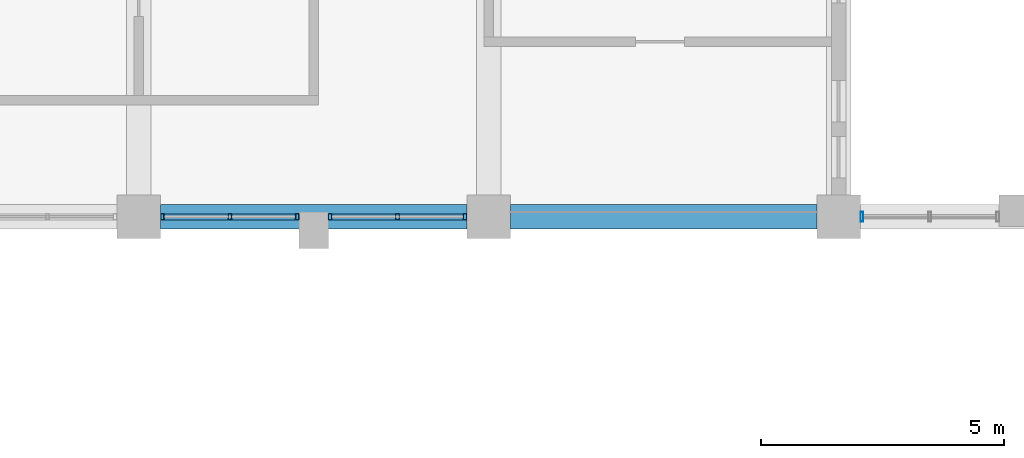
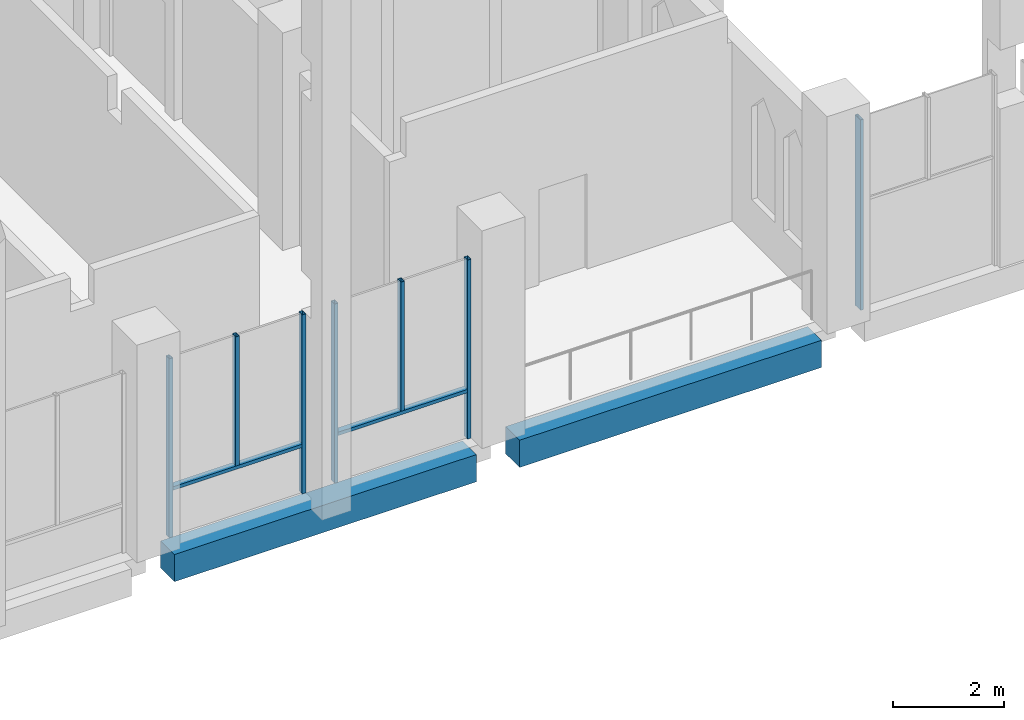
# One storey, part 10 of 40: 9 members, 2 beams, 3 elements without a shape of their own.
"""IFC4 building model written with IfcOpenShell, lengths in metres."""

from ifc_helpers import new_model, si_unit, direction, frame, origin, origin_2d, place, context, subcontext, project, spatial, rectangle, hollow_rectangle, extrude, material, material_profile, profile_set, type_object, element, aggregate, save


model = new_model("IFC4")

# Units and contexts
model_context = context("Model", 3, precision=1e-05, world=origin(), true_north=direction((0.0, 1.0)))
body_context = subcontext(model_context, "Body", "Model", "MODEL_VIEW")
ifc_project = project(units=[si_unit("LENGTHUNIT", "METRE"), si_unit("AREAUNIT", "SQUARE_METRE"), si_unit("VOLUMEUNIT", "CUBIC_METRE"), si_unit("PLANEANGLEUNIT", "RADIAN"), si_unit("MASSUNIT", "GRAM", prefix="KILO")], contexts=[model_context])

# Site, building, storey
site_placement = place(None, origin())
site = spatial("IfcSite", under=ifc_project, at=site_placement, CompositionType="ELEMENT")
building_placement = place(site_placement, origin())
building = spatial("IfcBuilding", under=site, at=building_placement, Name="Silangan Lancet Faculty of Sciences", CompositionType="ELEMENT")
storey_placement = place(building_placement, frame((0.0, 0.0, 21.60009765625)))
storey = spatial("IfcBuildingStorey", under=building, at=storey_placement, Name="L04", CompositionType="ELEMENT", Elevation=21.60009765625)

# Beams
ifc_material_1 = material(Name="Concrete C40/50", Category="concrete")
ifc_material_profile_1 = material_profile(ifc_material_1, rectangle(XDim=0.5, YDim=0.60009765625, at=origin_2d()), Name="RC 500x600")
ifc_profile_set_1 = profile_set([ifc_material_profile_1], Name="Concrete C40/50")
beam_type = type_object("IfcBeamType", Name="BEAM RC 500x600", PredefinedType="BEAM", material=ifc_profile_set_1)
beam_1_placement = place(storey_placement, frame((14.85009765625, 36.0, -0.550048828125), z_axis=(1.0, 0.0, 0.0), x_axis=(0.0, 1.0, 0.0)))
element("IfcBeam", 1, at=beam_1_placement, inside=storey, type_object=beam_type, Name="BM-L04-3F-4F", PredefinedType="BEAM", context=body_context, shape_type="SweptSolid", body=[
    extrude(rectangle(XDim=0.5, YDim=0.60009765625, at=origin_2d()), origin(), (0.0, 0.0, 1.0), 6.2998046875),
])
beam_2_placement = place(storey_placement, frame((22.050048828125, 36.0, -0.550048828125), z_axis=(1.0, 0.0, 0.0), x_axis=(0.0, 1.0, 0.0)))
element("IfcBeam", 2, at=beam_2_placement, inside=storey, type_object=beam_type, Name="BM-L04-4F-5F", PredefinedType="BEAM", context=body_context, shape_type="SweptSolid", body=[
    extrude(rectangle(XDim=0.5, YDim=0.60009765625, at=origin_2d()), origin(), (0.0, 0.0, 1.0), 6.300048828125),
])

# Curtain wall, member
ifc_material_2 = material(Name="Aluminium framed curtain wall with insulated glass", Category="aluminium")
curtain_wall_type_1 = type_object("IfcCurtainWallType", Name="CW5 Nave north light glazing", PredefinedType="NOTDEFINED", material=ifc_material_2)
curtain_wall_1_placement = place(storey_placement, origin())
curtain_wall_1 = element("IfcCurtainWall", 3, at=curtain_wall_1_placement, inside=storey, type_object=curtain_wall_type_1, Name="CW5 Nave north lights L04 bay 6", PredefinedType="NOTDEFINED")
ifc_material_3 = material(Name="Aluminium 6063-T6 extrusion", Category="aluminium")
ifc_material_profile_2 = material_profile(ifc_material_3, hollow_rectangle(XDim=0.06005859375, YDim=0.199951171875, WallThickness=0.00390625, at=origin_2d()), Name="AL BOX 60x200x4")
ifc_profile_set_2 = profile_set([ifc_material_profile_2], Name="Aluminium 6063-T6 extrusion")
member_type_1 = type_object("IfcMemberType", Name="CM1 Mullion 60x200", PredefinedType="MULLION", material=ifc_profile_set_2)
member_1_placement = place(storey_placement, frame((29.280029296875, 36.0, 0.0), z_axis=(0.0, 0.0, 1.0), x_axis=(-1.0, 0.0, 0.0)))
member_1 = element("IfcMember", 4, at=member_1_placement, type_object=member_type_1, Name="CW5 Nave north lights L04 bay 6 mullion 2", PredefinedType="MULLION", context=body_context, shape_type="SweptSolid", body=[
    extrude(hollow_rectangle(XDim=0.06005859375, YDim=0.199951171875, WallThickness=0.00390625, at=origin_2d()), origin(), (0.0, 0.0, 1.0), 4.199951171875),
])
aggregate(curtain_wall_1, [member_1])

# Curtain wall, members
ifc_material_4 = material(Name="Aluminium framed curtain wall with insulated glass", Category="aluminium")
curtain_wall_type_2 = type_object("IfcCurtainWallType", Name="CW2 Atrium fire-resisting screen", PredefinedType="NOTDEFINED", material=ifc_material_4)
curtain_wall_2_placement = place(storey_placement, origin())
curtain_wall_2 = element("IfcCurtainWall", 5, at=curtain_wall_2_placement, inside=storey, type_object=curtain_wall_type_2, Name="CW2 Atrium north L04 bay 5", PredefinedType="NOTDEFINED")
ifc_material_5 = material(Name="Steel S355J2H", Category="steel")
ifc_material_profile_3 = material_profile(ifc_material_5, hollow_rectangle(XDim=0.074951171875, YDim=0.125, WallThickness=0.0048828125, at=origin_2d()), Name="ST BOX 75x125x5")
ifc_profile_set_3 = profile_set([ifc_material_profile_3], Name="Steel S355J2H")
member_type_2 = type_object("IfcMemberType", Name="CM2 Mullion 75x125", PredefinedType="MULLION", material=ifc_profile_set_3)
member_2_placement = place(storey_placement, frame((14.887451171875, 36.0, 0.0), z_axis=(0.0, 0.0, 1.0), x_axis=(1.0, 0.0, 0.0)))
member_2 = element("IfcMember", 6, at=member_2_placement, type_object=member_type_2, Name="CW2 Atrium north L04 bay 5 mullion 1", PredefinedType="MULLION", context=body_context, shape_type="SweptSolid", body=[
    extrude(hollow_rectangle(XDim=0.074951171875, YDim=0.125, WallThickness=0.0048828125, at=origin_2d()), origin(), (0.0, 0.0, 1.0), 3.949951171875),
])
member_3_placement = place(storey_placement, frame((17.66259765625, 36.0, 0.0), z_axis=(0.0, 0.0, 1.0), x_axis=(1.0, 0.0, 0.0)))
member_3 = element("IfcMember", 7, at=member_3_placement, type_object=member_type_2, Name="CW2 Atrium north L04 bay 5 mullion 2", PredefinedType="MULLION", context=body_context, shape_type="SweptSolid", body=[
    extrude(hollow_rectangle(XDim=0.074951171875, YDim=0.125, WallThickness=0.0048828125, at=origin_2d()), origin(), (0.0, 0.0, 1.0), 3.949951171875),
])
member_4_placement = place(storey_placement, frame((16.27490234375, 36.0, 1.099853515625), z_axis=(0.0, 0.0, 1.0), x_axis=(1.0, 0.0, 0.0)))
member_4 = element("IfcMember", 8, at=member_4_placement, type_object=member_type_2, Name="CW2 Atrium north L04 bay 5 mullion 3", PredefinedType="MULLION", context=body_context, shape_type="SweptSolid", body=[
    extrude(hollow_rectangle(XDim=0.074951171875, YDim=0.125, WallThickness=0.0048828125, at=origin_2d()), origin(), (0.0, 0.0, 1.0), 2.85009765625),
])

curtain_wall_3_placement = place(storey_placement, origin())
curtain_wall_3 = element("IfcCurtainWall", 9, at=curtain_wall_3_placement, inside=storey, type_object=curtain_wall_type_2, Name="CW2 Atrium north L04 bay 6", PredefinedType="NOTDEFINED")
member_5_placement = place(storey_placement, frame((18.33740234375, 36.0, 0.0), z_axis=(0.0, 0.0, 1.0), x_axis=(1.0, 0.0, 0.0)))
member_5 = element("IfcMember", 10, at=member_5_placement, type_object=member_type_2, Name="CW2 Atrium north L04 bay 6 mullion 1", PredefinedType="MULLION", context=body_context, shape_type="SweptSolid", body=[
    extrude(hollow_rectangle(XDim=0.074951171875, YDim=0.125, WallThickness=0.0048828125, at=origin_2d()), origin(), (0.0, 0.0, 1.0), 3.949951171875),
])
member_6_placement = place(storey_placement, frame((21.112548828125, 36.0, 0.0), z_axis=(0.0, 0.0, 1.0), x_axis=(1.0, 0.0, 0.0)))
member_6 = element("IfcMember", 11, at=member_6_placement, type_object=member_type_2, Name="CW2 Atrium north L04 bay 6 mullion 2", PredefinedType="MULLION", context=body_context, shape_type="SweptSolid", body=[
    extrude(hollow_rectangle(XDim=0.074951171875, YDim=0.125, WallThickness=0.0048828125, at=origin_2d()), origin(), (0.0, 0.0, 1.0), 3.949951171875),
])
member_7_placement = place(storey_placement, frame((19.72509765625, 36.0, 1.099853515625), z_axis=(0.0, 0.0, 1.0), x_axis=(1.0, 0.0, 0.0)))
member_7 = element("IfcMember", 12, at=member_7_placement, type_object=member_type_2, Name="CW2 Atrium north L04 bay 6 mullion 3", PredefinedType="MULLION", context=body_context, shape_type="SweptSolid", body=[
    extrude(hollow_rectangle(XDim=0.074951171875, YDim=0.125, WallThickness=0.0048828125, at=origin_2d()), origin(), (0.0, 0.0, 1.0), 2.85009765625),
])

# Member
ifc_material_6 = material(Name="Steel S355J2H", Category="steel")
ifc_material_profile_4 = material_profile(ifc_material_6, hollow_rectangle(XDim=0.125, YDim=0.074951171875, WallThickness=0.0048828125, at=origin_2d()), Name="ST BOX 125x75x5")
ifc_profile_set_4 = profile_set([ifc_material_profile_4], Name="Steel S355J2H")
member_type_3 = type_object("IfcMemberType", Name="CT2 Transom 125x75", PredefinedType="USERDEFINED", material=ifc_profile_set_4)
member_8_placement = place(storey_placement, frame((14.925048828125, 36.0, 1.0625), z_axis=(1.0, 0.0, 0.0), x_axis=(0.0, 1.0, 0.0)))
member_8 = element("IfcMember", 13, at=member_8_placement, type_object=member_type_3, Name="CW2 Atrium north L04 bay 5 transom 1", ObjectType="TRANSOM", PredefinedType="USERDEFINED", context=body_context, shape_type="SweptSolid", body=[
    extrude(hollow_rectangle(XDim=0.125, YDim=0.074951171875, WallThickness=0.0048828125, at=origin_2d()), origin(), (0.0, 0.0, 1.0), 2.699951171875),
])

aggregate(curtain_wall_2, [member_2, member_3, member_4, member_8])

member_9_placement = place(storey_placement, frame((18.375, 36.0, 1.0625), z_axis=(1.0, 0.0, 0.0), x_axis=(0.0, 1.0, 0.0)))
member_9 = element("IfcMember", 14, at=member_9_placement, type_object=member_type_3, Name="CW2 Atrium north L04 bay 6 transom 1", ObjectType="TRANSOM", PredefinedType="USERDEFINED", context=body_context, shape_type="SweptSolid", body=[
    extrude(hollow_rectangle(XDim=0.125, YDim=0.074951171875, WallThickness=0.0048828125, at=origin_2d()), origin(), (0.0, 0.0, 1.0), 2.699951171875),
])

aggregate(curtain_wall_3, [member_5, member_6, member_7, member_9])

save(model, "model.ifc")
